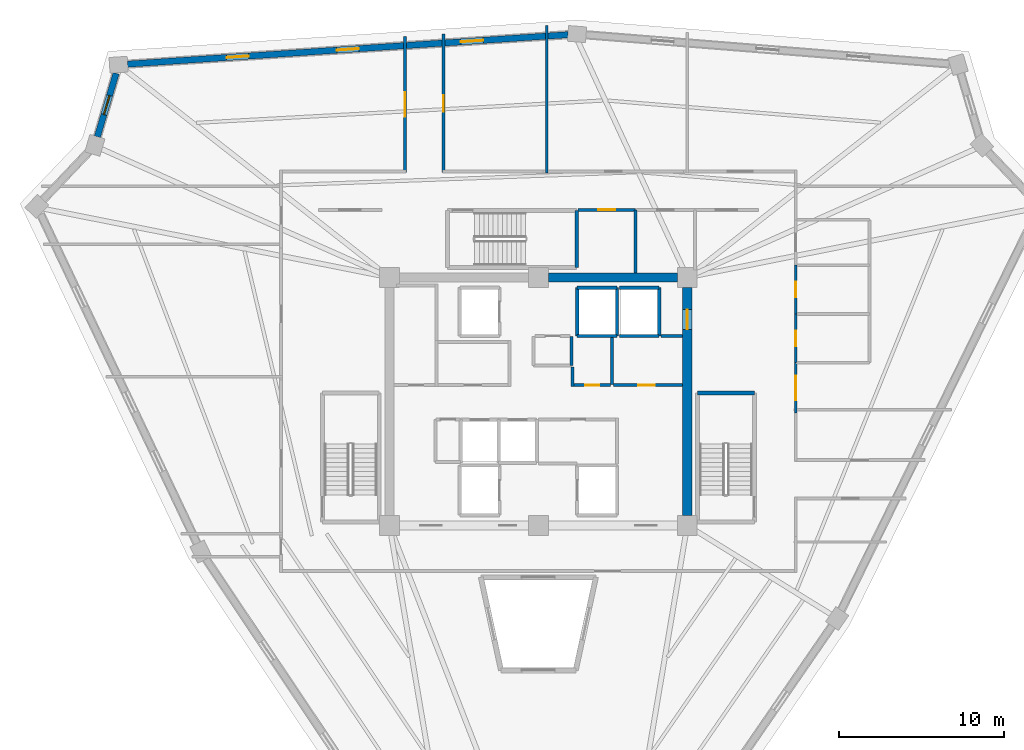
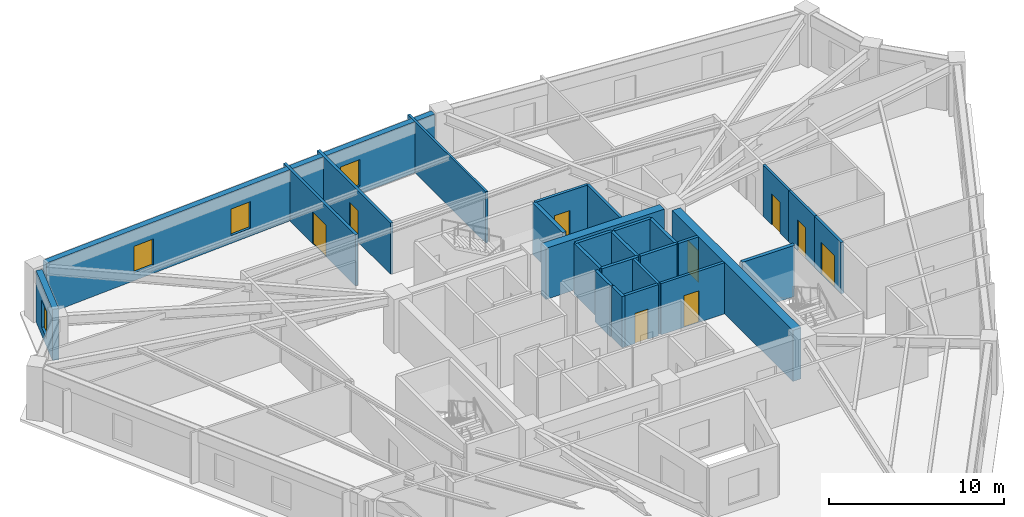
# One storey, part 6 of 8: 27 walls, 9 doors, 4 windows, 13 openings.
"""IFC4 building model written with IfcOpenShell, lengths in metres."""

from ifc_helpers import new_model, si_unit, direction, frame, frame_2d, origin, place, context, subcontext, project, spatial, rectangle, extrude, source, transform, mapped, material, layer, layer_set, type_object, element, fill, save


model = new_model("IFC4")

# Units and contexts
model_context = context("Model", 3, precision=1e-05, world=origin(), true_north=direction((0.0, 1.0)))
body_context = subcontext(model_context, "Body", "Model", "MODEL_VIEW")
ifc_project = project(units=[si_unit("LENGTHUNIT", "METRE"), si_unit("AREAUNIT", "SQUARE_METRE"), si_unit("VOLUMEUNIT", "CUBIC_METRE"), si_unit("PLANEANGLEUNIT", "RADIAN"), si_unit("MASSUNIT", "GRAM", prefix="KILO")], contexts=[model_context])

# Site, building, storey
site_placement = place(None, origin())
site = spatial("IfcSite", under=ifc_project, at=site_placement, CompositionType="ELEMENT")
building_placement = place(site_placement, origin())
building = spatial("IfcBuilding", under=site, at=building_placement, Name="Liaohun Quay Tower", CompositionType="ELEMENT")
storey_placement = place(building_placement, frame((0.0, 0.0, 305.25)))
storey = spatial("IfcBuildingStorey", under=building, at=storey_placement, Name="L79", CompositionType="ELEMENT", Elevation=305.25)

# Wall
ifc_material_1 = material(Name="Concrete C50", Category="concrete")
ifc_layer_1 = layer(ifc_material_1, 0.550048828125, Name="Concrete C50", Category="concrete")
ifc_layer_set_1 = layer_set([ifc_layer_1], Name="Concrete C50")
wall_type_1 = type_object("IfcWallType", Name="WAL-COR-Z4", PredefinedType="SHEAR", material=ifc_layer_set_1)
wall_1_placement = place(storey_placement, frame((60.60009765625, 61.5, 0.0), z_axis=(0.0, 0.0, 1.0), x_axis=(1.0, 0.0, 0.0)))
element("IfcWall", 1, at=wall_1_placement, inside=storey, type_object=wall_type_1, Name="L79 Central Core Shear Wall N-E", PredefinedType="SHEAR", context=body_context, shape_type="SweptSolid", body=[
    extrude(rectangle(XDim=7.7998046875, YDim=0.550048828125, at=frame_2d((3.89990234375, 0.0))), origin(), (0.0, 0.0, 1.0), 3.570068359375),
])

# Wall, opening, door
wall_2_placement = place(storey_placement, frame((69.0, 60.89990234375, 0.0), z_axis=(0.0, 0.0, 1.0), x_axis=(0.0, -1.0, 0.0)))
wall_2 = element("IfcWall", 2, at=wall_2_placement, inside=storey, type_object=wall_type_1, Name="L79 Central Core Shear Wall E", PredefinedType="SHEAR", context=body_context, shape_type="SweptSolid", body=[
    extrude(rectangle(XDim=13.7998046875, YDim=0.550048828125, at=frame_2d((6.89990234375, 0.0))), origin(), (0.0, 0.0, 1.0), 3.570068359375),
])
shared_shape_1 = source(origin(), body_context, "Body", "SweptSolid", [
    extrude(rectangle(XDim=1.199951171875, YDim=2.199951171875, at=frame_2d((0.60009765625, 1.10009765625))), frame((0.0, 0.284912109375, 0.0), z_axis=(0.0, -1.0, 0.0), x_axis=(1.0, 0.0, 0.0)), (0.0, 0.0, 1.0), 0.570068359375),
])
opening_1_placement = place(wall_2_placement, frame((1.35009765625, 0.0, 0.0)))
opening_1 = element("IfcOpeningElement", 3, at=opening_1_placement, cuts=wall_2, Name="Opening SD1", PredefinedType="OPENING", context=body_context, shape_type="MappedRepresentation", body=[
    mapped(shared_shape_1, transform((0.0, 0.0, 0.0), x_axis=(1.0, 0.0, 0.0), y_axis=(0.0, 1.0, 0.0), z_axis=(0.0, 0.0, 1.0), scale=1.0)),
])
ifc_material_2 = material(Name="Galvanised steel fire door", Category="steel")
door_type_1 = type_object("IfcDoorType", Name="DOR-STR-1200", OperationType="NOTDEFINED", PredefinedType="DOOR", material=ifc_material_2)
shared_shape_2 = source(origin(), body_context, "Body", "SweptSolid", [
    extrude(rectangle(XDim=1.199951171875, YDim=2.199951171875, at=frame_2d((0.60009765625, 1.10009765625))), frame((0.0, 0.02490234375, 0.0), z_axis=(0.0, -1.0, 0.0), x_axis=(1.0, 0.0, 0.0)), (0.0, 0.0, 1.0), 0.050048828125),
])
door_1_placement = place(opening_1_placement, origin())
door_1 = element("IfcDoor", 4, at=door_1_placement, inside=storey, type_object=door_type_1, Name="L79 North-East Core Lobby Smokeproof Door", OperationType="SINGLE_SWING_LEFT", OverallHeight=2.199951171875, OverallWidth=1.199951171875, PredefinedType="DOOR", context=body_context, shape_type="MappedRepresentation", body=[
    mapped(shared_shape_2, transform((0.0, 0.0, 0.0), x_axis=(1.0, 0.0, 0.0), y_axis=(0.0, 1.0, 0.0), z_axis=(0.0, 0.0, 1.0), scale=1.0)),
])
fill(opening_1, door_1)

# Wall, openings, windows
ifc_material_3 = material(Name="Precast concrete C50 insulated sandwich", Category="concrete")
ifc_layer_2 = layer(ifc_material_3, 0.3798828125, Name="Precast concrete C50 insulated sandwich", Category="concrete")
ifc_layer_set_2 = layer_set([ifc_layer_2], Name="Precast concrete C50 insulated sandwich")
wall_type_2 = type_object("IfcWallType", Name="WAL-EXT-Z34", PredefinedType="SOLIDWALL", material=ifc_layer_set_2)
wall_3_placement = place(storey_placement, frame((61.797119140625, 76.169921875, 0.0), z_axis=(0.0, 0.0, 1.0), x_axis=(-0.99777170169, -0.066720546358, 0.0)))
wall_3 = element("IfcWall", 5, at=wall_3_placement, inside=storey, type_object=wall_type_2, Name="L79 Brutalist Precast Pier Wall 07", PredefinedType="SOLIDWALL", context=body_context, shape_type="SweptSolid", body=[
    extrude(rectangle(XDim=26.693603515625, YDim=0.3798828125, at=frame_2d((13.3466796875, 0.0))), origin(), (0.0, 0.0, 1.0), 3.570068359375),
])
shared_shape_3 = source(origin(), body_context, "Body", "SweptSolid", [
    extrude(rectangle(XDim=1.35009765625, YDim=1.85009765625, at=frame_2d((0.675048828125, 0.925048828125))), frame((0.0, 0.199951171875, 0.0), z_axis=(0.0, -1.0, 0.0), x_axis=(1.0, 0.0, 0.0)), (0.0, 0.0, 1.0), 0.39990234375),
])
opening_2_placement = place(wall_3_placement, frame((5.14794921875, 0.0, 0.550048828125)))
opening_2 = element("IfcOpeningElement", 6, at=opening_2_placement, cuts=wall_3, Name="Opening W04", PredefinedType="OPENING", context=body_context, shape_type="MappedRepresentation", body=[
    mapped(shared_shape_3, transform((0.0, 0.0, 0.0), x_axis=(1.0, 0.0, 0.0), y_axis=(0.0, 1.0, 0.0), z_axis=(0.0, 0.0, 1.0), scale=1.0)),
])
opening_3_placement = place(wall_3_placement, frame((12.672119140625, 0.0, 0.550048828125)))
opening_3 = element("IfcOpeningElement", 7, at=opening_3_placement, cuts=wall_3, Name="Opening W04", PredefinedType="OPENING", context=body_context, shape_type="MappedRepresentation", body=[
    mapped(shared_shape_3, transform((0.0, 0.0, 0.0), x_axis=(1.0, 0.0, 0.0), y_axis=(0.0, 1.0, 0.0), z_axis=(0.0, 0.0, 1.0), scale=1.0)),
])
opening_4_placement = place(wall_3_placement, frame((19.344970703125, 0.0, 0.550048828125)))
opening_4 = element("IfcOpeningElement", 8, at=opening_4_placement, cuts=wall_3, Name="Opening W04", PredefinedType="OPENING", context=body_context, shape_type="MappedRepresentation", body=[
    mapped(shared_shape_3, transform((0.0, 0.0, 0.0), x_axis=(1.0, 0.0, 0.0), y_axis=(0.0, 1.0, 0.0), z_axis=(0.0, 0.0, 1.0), scale=1.0)),
])
ifc_material_4 = material(Name="Triple Low-E argon glazing in thermally broken aluminium", Category="aluminium")
window_type_1 = type_object("IfcWindowType", Name="WIN-PUN-Z4", PartitioningType="SINGLE_PANEL", PredefinedType="WINDOW", material=ifc_material_4)
shared_shape_4 = source(origin(), body_context, "Body", "SweptSolid", [
    extrude(rectangle(XDim=1.35009765625, YDim=1.85009765625, at=frame_2d((0.675048828125, 0.925048828125))), frame((0.0, 0.030029296875, 0.0), z_axis=(0.0, -1.0, 0.0), x_axis=(1.0, 0.0, 0.0)), (0.0, 0.0, 1.0), 0.06005859375),
])
window_1_placement = place(opening_2_placement, origin())
window_1 = element("IfcWindow", 9, at=window_1_placement, inside=storey, type_object=window_type_1, Name="L79 Recessed Cold-Climate Punched Window 07-1", OverallHeight=1.85009765625, OverallWidth=1.35009765625, PartitioningType="SINGLE_PANEL", PredefinedType="WINDOW", context=body_context, shape_type="MappedRepresentation", body=[
    mapped(shared_shape_4, transform((0.0, 0.0, 0.0), x_axis=(1.0, 0.0, 0.0), y_axis=(0.0, 1.0, 0.0), z_axis=(0.0, 0.0, 1.0), scale=1.0)),
])
fill(opening_2, window_1)
window_2_placement = place(opening_3_placement, origin())
window_2 = element("IfcWindow", 10, at=window_2_placement, inside=storey, type_object=window_type_1, Name="L79 Recessed Cold-Climate Punched Window 07-2", OverallHeight=1.85009765625, OverallWidth=1.35009765625, PartitioningType="SINGLE_PANEL", PredefinedType="WINDOW", context=body_context, shape_type="MappedRepresentation", body=[
    mapped(shared_shape_4, transform((0.0, 0.0, 0.0), x_axis=(1.0, 0.0, 0.0), y_axis=(0.0, 1.0, 0.0), z_axis=(0.0, 0.0, 1.0), scale=1.0)),
])
fill(opening_3, window_2)
window_3_placement = place(opening_4_placement, origin())
window_3 = element("IfcWindow", 11, at=window_3_placement, inside=storey, type_object=window_type_1, Name="L79 Recessed Cold-Climate Punched Window 07-3", OverallHeight=1.85009765625, OverallWidth=1.35009765625, PartitioningType="SINGLE_PANEL", PredefinedType="WINDOW", context=body_context, shape_type="MappedRepresentation", body=[
    mapped(shared_shape_4, transform((0.0, 0.0, 0.0), x_axis=(1.0, 0.0, 0.0), y_axis=(0.0, 1.0, 0.0), z_axis=(0.0, 0.0, 1.0), scale=1.0)),
])
fill(opening_4, window_3)

# Wall, opening, window
wall_4_placement = place(storey_placement, frame((34.470947265625, 73.8349609375, 0.0), z_axis=(0.0, 0.0, 1.0), x_axis=(-0.282483550301, -0.959272142726, 0.0)))
wall_4 = element("IfcWall", 12, at=wall_4_placement, inside=storey, type_object=wall_type_2, Name="L79 Brutalist Precast Pier Wall 08", PredefinedType="SOLIDWALL", context=body_context, shape_type="SweptSolid", body=[
    extrude(rectangle(XDim=3.999755859375, YDim=0.3798828125, at=frame_2d((2.0, 0.0))), origin(), (0.0, 0.0, 1.0), 3.570068359375),
])
shared_shape_5 = source(origin(), body_context, "Body", "SweptSolid", [
    extrude(rectangle(XDim=1.199951171875, YDim=1.89990234375, at=frame_2d((0.60009765625, 0.949951171875))), frame((0.0, 0.199951171875, 0.0), z_axis=(0.0, -1.0, 0.0), x_axis=(1.0, 0.0, 0.0)), (0.0, 0.0, 1.0), 0.39990234375),
])
opening_5_placement = place(wall_4_placement, frame((1.39990234375, 0.0, 0.550048828125)))
opening_5 = element("IfcOpeningElement", 13, at=opening_5_placement, cuts=wall_4, Name="Opening W05", PredefinedType="OPENING", context=body_context, shape_type="MappedRepresentation", body=[
    mapped(shared_shape_5, transform((0.0, 0.0, 0.0), x_axis=(1.0, 0.0, 0.0), y_axis=(0.0, 1.0, 0.0), z_axis=(0.0, 0.0, 1.0), scale=1.0)),
])
ifc_material_5 = material(Name="Triple Low-E corner notch glazing", Category="glass")
window_type_2 = type_object("IfcWindowType", Name="WIN-NOTCH", PartitioningType="SINGLE_PANEL", PredefinedType="WINDOW", material=ifc_material_5)
shared_shape_6 = source(origin(), body_context, "Body", "SweptSolid", [
    extrude(rectangle(XDim=1.199951171875, YDim=1.89990234375, at=frame_2d((0.60009765625, 0.949951171875))), frame((0.0, 0.030029296875, 0.0), z_axis=(0.0, -1.0, 0.0), x_axis=(1.0, 0.0, 0.0)), (0.0, 0.0, 1.0), 0.06005859375),
])
window_4_placement = place(opening_5_placement, origin())
window_4 = element("IfcWindow", 14, at=window_4_placement, inside=storey, type_object=window_type_2, Name="L79 Corner Notch Window W05-08", OverallHeight=1.89990234375, OverallWidth=1.199951171875, PartitioningType="SINGLE_PANEL", PredefinedType="WINDOW", context=body_context, shape_type="MappedRepresentation", body=[
    mapped(shared_shape_6, transform((0.0, 0.0, 0.0), x_axis=(1.0, 0.0, 0.0), y_axis=(0.0, 1.0, 0.0), z_axis=(0.0, 0.0, 1.0), scale=1.0)),
])
fill(opening_5, window_4)

# Wall, opening, door
ifc_material_6 = material(Name="Autoclaved aerated concrete blockwork", Category="masonry")
ifc_layer_3 = layer(ifc_material_6, 0.179931640625, Name="Autoclaved aerated concrete blockwork", Category="masonry")
ifc_layer_set_3 = layer_set([ifc_layer_3], Name="Autoclaved aerated concrete blockwork")
wall_type_3 = type_object("IfcWallType", Name="WAL-PRT-COR", PredefinedType="PARTITIONING", material=ifc_layer_set_3)
wall_5_placement = place(storey_placement, frame((62.139892578125, 54.97998046875, 0.0), z_axis=(0.0, 0.0, 1.0), x_axis=(1.0, 0.0, 0.0)))
wall_5 = element("IfcWall", 15, at=wall_5_placement, inside=storey, type_object=wall_type_3, Name="L79 Interior Partition Wall 004", PredefinedType="PARTITIONING", context=body_context, shape_type="SweptSolid", body=[
    extrude(rectangle(XDim=2.22021484375, YDim=0.179931640625, at=frame_2d((1.110107421875, 0.0))), origin(), (0.0, 0.0, 1.0), 3.570068359375),
])
shared_shape_7 = source(origin(), body_context, "Body", "SweptSolid", [
    extrude(rectangle(XDim=0.85009765625, YDim=2.10009765625, at=frame_2d((0.425048828125, 1.050048828125))), frame((0.0, 0.099853515625, 0.0), z_axis=(0.0, -1.0, 0.0), x_axis=(1.0, 0.0, 0.0)), (0.0, 0.0, 1.0), 0.199951171875),
])
opening_6_placement = place(wall_5_placement, frame((0.68505859375, 0.0, 0.0)))
opening_6 = element("IfcOpeningElement", 16, at=opening_6_placement, cuts=wall_5, Name="Opening AD1", PredefinedType="OPENING", context=body_context, shape_type="MappedRepresentation", body=[
    mapped(shared_shape_7, transform((0.0, 0.0, 0.0), x_axis=(1.0, 0.0, 0.0), y_axis=(0.0, 1.0, 0.0), z_axis=(0.0, 0.0, 1.0), scale=1.0)),
])
ifc_material_7 = material(Name="Steel riser inspection fire door", Category="steel")
door_type_2 = type_object("IfcDoorType", Name="DOR-SHF-850", OperationType="NOTDEFINED", PredefinedType="DOOR", material=ifc_material_7)
shared_shape_8 = source(origin(), body_context, "Body", "SweptSolid", [
    extrude(rectangle(XDim=0.85009765625, YDim=2.10009765625, at=frame_2d((0.425048828125, 1.050048828125))), frame((0.0, 0.02490234375, 0.0), z_axis=(0.0, -1.0, 0.0), x_axis=(1.0, 0.0, 0.0)), (0.0, 0.0, 1.0), 0.050048828125),
])
door_2_placement = place(opening_6_placement, origin())
door_2 = element("IfcDoor", 17, at=door_2_placement, inside=storey, type_object=door_type_2, Name="L79 Core Cleaner Store Door", OperationType="SINGLE_SWING_RIGHT", OverallHeight=2.10009765625, OverallWidth=0.85009765625, PredefinedType="DOOR", context=body_context, shape_type="MappedRepresentation", body=[
    mapped(shared_shape_8, transform((0.0, 0.0, 0.0), x_axis=(1.0, 0.0, 0.0), y_axis=(0.0, 1.0, 0.0), z_axis=(0.0, 0.0, 1.0), scale=1.0)),
])
fill(opening_6, door_2)

wall_6_placement = place(storey_placement, frame((64.5400390625, 54.97998046875, 0.0), z_axis=(0.0, 0.0, 1.0), x_axis=(1.0, 0.0, 0.0)))
wall_6 = element("IfcWall", 18, at=wall_6_placement, inside=storey, type_object=wall_type_3, Name="L79 Interior Partition Wall 005", PredefinedType="PARTITIONING", context=body_context, shape_type="SweptSolid", body=[
    extrude(rectangle(XDim=4.18505859375, YDim=0.179931640625, at=frame_2d((2.092529296875, 0.0))), origin(), (0.0, 0.0, 1.0), 3.570068359375),
])
shared_shape_9 = source(origin(), body_context, "Body", "SweptSolid", [
    extrude(rectangle(XDim=1.0, YDim=2.199951171875, at=frame_2d((0.5, 1.10009765625))), frame((0.0, 0.099853515625, 0.0), z_axis=(0.0, -1.0, 0.0), x_axis=(1.0, 0.0, 0.0)), (0.0, 0.0, 1.0), 0.199951171875),
])
opening_7_placement = place(wall_6_placement, frame((1.4951171875, 0.0, 0.0)))
opening_7 = element("IfcOpeningElement", 19, at=opening_7_placement, cuts=wall_6, Name="Opening OD1", PredefinedType="OPENING", context=body_context, shape_type="MappedRepresentation", body=[
    mapped(shared_shape_9, transform((0.0, 0.0, 0.0), x_axis=(1.0, 0.0, 0.0), y_axis=(0.0, 1.0, 0.0), z_axis=(0.0, 0.0, 1.0), scale=1.0)),
])
ifc_material_8 = material(Name="Solid-core oak veneer timber leaf in steel frame", Category="steel")
door_type_3 = type_object("IfcDoorType", Name="DOR-OFF-1000", OperationType="NOTDEFINED", PredefinedType="DOOR", material=ifc_material_8)
shared_shape_10 = source(origin(), body_context, "Body", "SweptSolid", [
    extrude(rectangle(XDim=1.0, YDim=2.199951171875, at=frame_2d((0.5, 1.10009765625))), frame((0.0, 0.02490234375, 0.0), z_axis=(0.0, -1.0, 0.0), x_axis=(1.0, 0.0, 0.0)), (0.0, 0.0, 1.0), 0.050048828125),
])
door_3_placement = place(opening_7_placement, origin())
door_3 = element("IfcDoor", 20, at=door_3_placement, inside=storey, type_object=door_type_3, Name="L79 Core High-Zone Pantry Room Door", OperationType="SINGLE_SWING_LEFT", OverallHeight=2.199951171875, OverallWidth=1.0, PredefinedType="DOOR", context=body_context, shape_type="MappedRepresentation", body=[
    mapped(shared_shape_10, transform((0.0, 0.0, 0.0), x_axis=(1.0, 0.0, 0.0), y_axis=(0.0, 1.0, 0.0), z_axis=(0.0, 0.0, 1.0), scale=1.0)),
])
fill(opening_7, door_3)

wall_7_placement = place(storey_placement, frame((62.389892578125, 65.580078125, 0.0), z_axis=(0.0, 0.0, 1.0), x_axis=(1.0, 0.0, 0.0)))
wall_7 = element("IfcWall", 21, at=wall_7_placement, inside=storey, type_object=wall_type_3, Name="L79 Interior Partition Wall 011", PredefinedType="PARTITIONING", context=body_context, shape_type="SweptSolid", body=[
    extrude(rectangle(XDim=3.489990234375, YDim=0.179931640625, at=frame_2d((1.7451171875, 0.0))), origin(), (0.0, 0.0, 1.0), 3.570068359375),
])
opening_8_placement = place(wall_7_placement, frame((1.2451171875, 0.0, 0.0)))
opening_8 = element("IfcOpeningElement", 22, at=opening_8_placement, cuts=wall_7, Name="Opening OD1", PredefinedType="OPENING", context=body_context, shape_type="MappedRepresentation", body=[
    mapped(shared_shape_9, transform((0.0, 0.0, 0.0), x_axis=(1.0, 0.0, 0.0), y_axis=(0.0, 1.0, 0.0), z_axis=(0.0, 0.0, 1.0), scale=1.0)),
])
door_4_placement = place(opening_8_placement, origin())
door_4 = element("IfcDoor", 23, at=door_4_placement, inside=storey, type_object=door_type_3, Name="L79 North-East Archive Store Door", OperationType="SINGLE_SWING_LEFT", OverallHeight=2.199951171875, OverallWidth=1.0, PredefinedType="DOOR", context=body_context, shape_type="MappedRepresentation", body=[
    mapped(shared_shape_10, transform((0.0, 0.0, 0.0), x_axis=(1.0, 0.0, 0.0), y_axis=(0.0, 1.0, 0.0), z_axis=(0.0, 0.0, 1.0), scale=1.0)),
])
fill(opening_8, door_4)

wall_8_placement = place(storey_placement, frame((75.56005859375, 56.340087890625, 0.0), z_axis=(0.0, 0.0, 1.0), x_axis=(0.0, -1.0, 0.0)))
wall_8 = element("IfcWall", 24, at=wall_8_placement, inside=storey, type_object=wall_type_3, Name="L79 Interior Partition Wall 015", PredefinedType="PARTITIONING", context=body_context, shape_type="SweptSolid", body=[
    extrude(rectangle(XDim=3.05517578125, YDim=0.179931640625, at=frame_2d((1.527587890625, 0.0))), origin(), (0.0, 0.0, 1.0), 3.570068359375),
])
shared_shape_11 = source(origin(), body_context, "Body", "SweptSolid", [
    extrude(rectangle(XDim=1.5, YDim=2.199951171875, at=frame_2d((0.75, 1.10009765625))), frame((0.0, 0.099853515625, 0.0), z_axis=(0.0, -1.0, 0.0), x_axis=(1.0, 0.0, 0.0)), (0.0, 0.0, 1.0), 0.199951171875),
])
opening_9_placement = place(wall_8_placement, frame((0.778076171875, 0.0, 0.0)))
opening_9 = element("IfcOpeningElement", 25, at=opening_9_placement, cuts=wall_8, Name="Opening OD2", PredefinedType="OPENING", context=body_context, shape_type="MappedRepresentation", body=[
    mapped(shared_shape_11, transform((0.0, 0.0, 0.0), x_axis=(1.0, 0.0, 0.0), y_axis=(0.0, 1.0, 0.0), z_axis=(0.0, 0.0, 1.0), scale=1.0)),
])
ifc_material_9 = material(Name="Acoustic oak veneer double door")
door_type_4 = type_object("IfcDoorType", Name="DOR-OFF-1500", OperationType="DOUBLE_DOOR_SINGLE_SWING", PredefinedType="DOOR", material=ifc_material_9)
shared_shape_12 = source(origin(), body_context, "Body", "SweptSolid", [
    extrude(rectangle(XDim=1.5, YDim=2.199951171875, at=frame_2d((0.75, 1.10009765625))), frame((0.0, 0.02490234375, 0.0), z_axis=(0.0, -1.0, 0.0), x_axis=(1.0, 0.0, 0.0)), (0.0, 0.0, 1.0), 0.050048828125),
])
door_5_placement = place(opening_9_placement, origin())
door_5 = element("IfcDoor", 26, at=door_5_placement, inside=storey, type_object=door_type_4, Name="L79 Engineering Model Workshop 01 Door", OperationType="DOUBLE_DOOR_SINGLE_SWING", OverallHeight=2.199951171875, OverallWidth=1.5, PredefinedType="DOOR", context=body_context, shape_type="MappedRepresentation", body=[
    mapped(shared_shape_12, transform((0.0, 0.0, 0.0), x_axis=(1.0, 0.0, 0.0), y_axis=(0.0, 1.0, 0.0), z_axis=(0.0, 0.0, 1.0), scale=1.0)),
])
fill(opening_9, door_5)

wall_9_placement = place(storey_placement, frame((54.260009765625, 76.20703125, 0.0), z_axis=(0.0, 0.0, 1.0), x_axis=(0.0, -1.0, 0.0)))
wall_9 = element("IfcWall", 27, at=wall_9_placement, inside=storey, type_object=wall_type_3, Name="L79 Interior Partition Wall 018", PredefinedType="PARTITIONING", context=body_context, shape_type="SweptSolid", body=[
    extrude(rectangle(XDim=8.366943359375, YDim=0.179931640625, at=frame_2d((4.18359375, 0.0))), origin(), (0.0, 0.0, 1.0), 3.570068359375),
])
opening_10_placement = place(wall_9_placement, frame((3.68310546875, 0.0, 0.0)))
opening_10 = element("IfcOpeningElement", 28, at=opening_10_placement, cuts=wall_9, Name="Opening OD1", PredefinedType="OPENING", context=body_context, shape_type="MappedRepresentation", body=[
    mapped(shared_shape_9, transform((0.0, 0.0, 0.0), x_axis=(1.0, 0.0, 0.0), y_axis=(0.0, 1.0, 0.0), z_axis=(0.0, 0.0, 1.0), scale=1.0)),
])
door_6_placement = place(opening_10_placement, origin())
door_6 = element("IfcDoor", 29, at=door_6_placement, inside=storey, type_object=door_type_3, Name="L79 Project Collaboration Studio 04 Door", OperationType="SINGLE_SWING_RIGHT", OverallHeight=2.199951171875, OverallWidth=1.0, PredefinedType="DOOR", context=body_context, shape_type="MappedRepresentation", body=[
    mapped(shared_shape_10, transform((0.0, 0.0, 0.0), x_axis=(1.0, 0.0, 0.0), y_axis=(0.0, 1.0, 0.0), z_axis=(0.0, 0.0, 1.0), scale=1.0)),
])
fill(opening_10, door_6)

wall_10_placement = place(storey_placement, frame((51.93994140625, 67.840087890625, 0.0), z_axis=(0.0, 0.0, 1.0), x_axis=(0.0, 1.0, 0.0)))
wall_10 = element("IfcWall", 30, at=wall_10_placement, inside=storey, type_object=wall_type_3, Name="L79 Interior Partition Wall 019", PredefinedType="PARTITIONING", context=body_context, shape_type="SweptSolid", body=[
    extrude(rectangle(XDim=8.2119140625, YDim=0.179931640625, at=frame_2d((4.10595703125, 0.0))), origin(), (0.0, 0.0, 1.0), 3.570068359375),
])
opening_11_placement = place(wall_10_placement, frame((3.35595703125, 0.0, 0.0)))
opening_11 = element("IfcOpeningElement", 31, at=opening_11_placement, cuts=wall_10, Name="Opening OD2", PredefinedType="OPENING", context=body_context, shape_type="MappedRepresentation", body=[
    mapped(shared_shape_11, transform((0.0, 0.0, 0.0), x_axis=(1.0, 0.0, 0.0), y_axis=(0.0, 1.0, 0.0), z_axis=(0.0, 0.0, 1.0), scale=1.0)),
])
door_7_placement = place(opening_11_placement, origin())
door_7 = element("IfcDoor", 32, at=door_7_placement, inside=storey, type_object=door_type_4, Name="L79 Client Collaboration Lounge 05 Door", OperationType="DOUBLE_DOOR_SINGLE_SWING", OverallHeight=2.199951171875, OverallWidth=1.5, PredefinedType="DOOR", context=body_context, shape_type="MappedRepresentation", body=[
    mapped(shared_shape_12, transform((0.0, 0.0, 0.0), x_axis=(1.0, 0.0, 0.0), y_axis=(0.0, 1.0, 0.0), z_axis=(0.0, 0.0, 1.0), scale=1.0)),
])
fill(opening_11, door_7)

# Walls
wall_11_placement = place(storey_placement, frame((64.449951171875, 55.02001953125, 0.0), z_axis=(0.0, 0.0, 1.0), x_axis=(0.0, 1.0, 0.0)))
element("IfcWall", 33, at=wall_11_placement, inside=storey, type_object=wall_type_3, Name="L79 Interior Partition Wall 027", PredefinedType="PARTITIONING", context=body_context, shape_type="SweptSolid", body=[
    extrude(rectangle(XDim=2.85986328125, YDim=0.179931640625, at=frame_2d((1.429931640625, 0.0))), origin(), (0.0, 0.0, 1.0), 3.570068359375),
])
wall_12_placement = place(storey_placement, frame((62.010009765625, 56.179931640625, 0.0), z_axis=(0.0, 0.0, 1.0), x_axis=(0.0, 1.0, 0.0)))
element("IfcWall", 34, at=wall_12_placement, inside=storey, type_object=wall_type_3, Name="L79 Interior Partition Wall 029", PredefinedType="PARTITIONING", context=body_context, shape_type="SweptSolid", body=[
    extrude(rectangle(XDim=1.739990234375, YDim=0.179931640625, at=frame_2d((0.8701171875, 0.0))), origin(), (0.0, 0.0, 1.0), 3.570068359375),
])
wall_13_placement = place(storey_placement, frame((65.8798828125, 61.77490234375, 0.0), z_axis=(0.0, 0.0, 1.0), x_axis=(0.0, 1.0, 0.0)))
element("IfcWall", 35, at=wall_13_placement, inside=storey, type_object=wall_type_3, Name="L79 Interior Partition Wall 038", PredefinedType="PARTITIONING", context=body_context, shape_type="SweptSolid", body=[
    extrude(rectangle(XDim=3.80517578125, YDim=0.179931640625, at=frame_2d((1.902587890625, 0.0))), origin(), (0.0, 0.0, 1.0), 3.570068359375),
])
wall_14_placement = place(storey_placement, frame((62.050048828125, 54.889892578125, 0.0), z_axis=(0.0, 0.0, 1.0), x_axis=(0.0, 1.0, 0.0)))
element("IfcWall", 36, at=wall_14_placement, inside=storey, type_object=wall_type_3, Name="L79 Interior Partition Wall 066", PredefinedType="PARTITIONING", context=body_context, shape_type="SweptSolid", body=[
    extrude(rectangle(XDim=1.2001953125, YDim=0.179931640625, at=frame_2d((0.60009765625, 0.0))), origin(), (0.0, 0.0, 1.0), 3.570068359375),
])
wall_15_placement = place(storey_placement, frame((67.39990234375, 57.949951171875, 0.0), z_axis=(0.0, 0.0, 1.0), x_axis=(1.0, 0.0, 0.0)))
element("IfcWall", 37, at=wall_15_placement, inside=storey, type_object=wall_type_3, Name="L79 Interior Partition Wall 067", PredefinedType="PARTITIONING", context=body_context, shape_type="SweptSolid", body=[
    extrude(rectangle(XDim=1.3251953125, YDim=0.179931640625, at=frame_2d((0.66259765625, 0.0))), origin(), (0.0, 0.0, 1.0), 3.570068359375),
])
ifc_material_10 = material(Name="Gypsum board on twin steel studs", Category="steel")
ifc_layer_4 = layer(ifc_material_10, 0.139892578125, Name="Gypsum board on twin steel studs", Category="steel")
ifc_layer_set_4 = layer_set([ifc_layer_4], Name="Gypsum board on twin steel studs")
wall_type_4 = type_object("IfcWallType", Name="WAL-PRT-OFF", PredefinedType="PARTITIONING", material=ifc_layer_set_4)
wall_16_placement = place(storey_placement, frame((60.5, 67.81005859375, 0.0), z_axis=(0.0, 0.0, 1.0), x_axis=(0.0, 1.0, 0.0)))
element("IfcWall", 38, at=wall_16_placement, inside=storey, type_object=wall_type_4, Name="L79 Interior Partition Wall 057", PredefinedType="PARTITIONING", context=body_context, shape_type="SweptSolid", body=[
    extrude(rectangle(XDim=8.904052734375, YDim=0.139892578125, at=frame_2d((4.4521484375, 0.0))), origin(), (0.0, 0.0, 1.0), 3.570068359375),
])

# Wall, opening, door
ifc_material_11 = material(Name="Moisture-resistant masonry blockwork", Category="masonry")
ifc_layer_5 = layer(ifc_material_11, 0.159912109375, Name="Moisture-resistant masonry blockwork", Category="masonry")
ifc_layer_set_5 = layer_set([ifc_layer_5], Name="Moisture-resistant masonry blockwork")
wall_type_5 = type_object("IfcWallType", Name="WAL-PRT-WET", PredefinedType="PARTITIONING", material=ifc_layer_set_5)
wall_17_placement = place(storey_placement, frame((75.56005859375, 56.340087890625, 0.0), z_axis=(0.0, 0.0, 1.0), x_axis=(0.0, 1.0, 0.0)))
wall_17 = element("IfcWall", 39, at=wall_17_placement, inside=storey, type_object=wall_type_5, Name="L79 Interior Partition Wall 008", PredefinedType="PARTITIONING", context=body_context, shape_type="SweptSolid", body=[
    extrude(rectangle(XDim=2.93994140625, YDim=0.159912109375, at=frame_2d((1.469970703125, 0.0))), origin(), (0.0, 0.0, 1.0), 3.570068359375),
])
shared_shape_13 = source(origin(), body_context, "Body", "SweptSolid", [
    extrude(rectangle(XDim=0.949951171875, YDim=2.14990234375, at=frame_2d((0.47509765625, 1.074951171875))), frame((0.0, 0.08984375, 0.0), z_axis=(0.0, -1.0, 0.0), x_axis=(1.0, 0.0, 0.0)), (0.0, 0.0, 1.0), 0.179931640625),
])
opening_12_placement = place(wall_17_placement, frame((0.9951171875, 0.0, 0.0)))
opening_12 = element("IfcOpeningElement", 40, at=opening_12_placement, cuts=wall_17, Name="Opening WD1", PredefinedType="OPENING", context=body_context, shape_type="MappedRepresentation", body=[
    mapped(shared_shape_13, transform((0.0, 0.0, 0.0), x_axis=(1.0, 0.0, 0.0), y_axis=(0.0, 1.0, 0.0), z_axis=(0.0, 0.0, 1.0), scale=1.0)),
])
ifc_material_12 = material(Name="Moisture-resistant laminate timber leaf", Category="wood")
door_type_5 = type_object("IfcDoorType", Name="DOR-WC-950", OperationType="NOTDEFINED", PredefinedType="DOOR", material=ifc_material_12)
shared_shape_14 = source(origin(), body_context, "Body", "SweptSolid", [
    extrude(rectangle(XDim=0.949951171875, YDim=2.14990234375, at=frame_2d((0.47509765625, 1.074951171875))), frame((0.0, 0.02490234375, 0.0), z_axis=(0.0, -1.0, 0.0), x_axis=(1.0, 0.0, 0.0)), (0.0, 0.0, 1.0), 0.050048828125),
])
door_8_placement = place(opening_12_placement, origin())
door_8 = element("IfcDoor", 41, at=door_8_placement, inside=storey, type_object=door_type_5, Name="L79 Male Restroom WC Door", OperationType="SINGLE_SWING_RIGHT", OverallHeight=2.14990234375, OverallWidth=0.949951171875, PredefinedType="DOOR", context=body_context, shape_type="MappedRepresentation", body=[
    mapped(shared_shape_14, transform((0.0, 0.0, 0.0), x_axis=(1.0, 0.0, 0.0), y_axis=(0.0, 1.0, 0.0), z_axis=(0.0, 0.0, 1.0), scale=1.0)),
])
fill(opening_12, door_8)

wall_18_placement = place(storey_placement, frame((75.56005859375, 59.280029296875, 0.0), z_axis=(0.0, 0.0, 1.0), x_axis=(0.0, 1.0, 0.0)))
wall_18 = element("IfcWall", 42, at=wall_18_placement, inside=storey, type_object=wall_type_5, Name="L79 Interior Partition Wall 009", PredefinedType="PARTITIONING", context=body_context, shape_type="SweptSolid", body=[
    extrude(rectangle(XDim=2.9599609375, YDim=0.159912109375, at=frame_2d((1.47998046875, 0.0))), origin(), (0.0, 0.0, 1.0), 3.570068359375),
])
opening_13_placement = place(wall_18_placement, frame((1.0048828125, 0.0, 0.0)))
opening_13 = element("IfcOpeningElement", 43, at=opening_13_placement, cuts=wall_18, Name="Opening WD1", PredefinedType="OPENING", context=body_context, shape_type="MappedRepresentation", body=[
    mapped(shared_shape_13, transform((0.0, 0.0, 0.0), x_axis=(1.0, 0.0, 0.0), y_axis=(0.0, 1.0, 0.0), z_axis=(0.0, 0.0, 1.0), scale=1.0)),
])
door_9_placement = place(opening_13_placement, origin())
door_9 = element("IfcDoor", 44, at=door_9_placement, inside=storey, type_object=door_type_5, Name="L79 Female Restroom WC Door", OperationType="SINGLE_SWING_LEFT", OverallHeight=2.14990234375, OverallWidth=0.949951171875, PredefinedType="DOOR", context=body_context, shape_type="MappedRepresentation", body=[
    mapped(shared_shape_14, transform((0.0, 0.0, 0.0), x_axis=(1.0, 0.0, 0.0), y_axis=(0.0, 1.0, 0.0), z_axis=(0.0, 0.0, 1.0), scale=1.0)),
])
fill(opening_13, door_9)

# Walls
ifc_layer_6 = layer(ifc_material_1, 0.239990234375, Name="Concrete C50", Category="concrete")
ifc_layer_set_6 = layer_set([ifc_layer_6], Name="Concrete C50")
wall_type_6 = type_object("IfcWallType", Name="WAL-SHF-200", PredefinedType="SOLIDWALL", material=ifc_layer_set_6)
for number, where, z_axis, x_axis, name in (
    (45, (73.06005859375, 54.52001953125, 0.0), (0.0, 0.0, 1.0), (-1.0, 0.0, 0.0), "L79 Stairwell ST-2 Structural Core Wall N"),
    (46, (62.320068359375, 62.10009765625, 0.0), (0.0, 0.0, 1.0), (0.0, 1.0, 0.0), "L79 Stairwell ST-3 Structural Core Wall E"),
):
    element("IfcWall", number, at=place(storey_placement, frame(where, z_axis=z_axis, x_axis=x_axis)), inside=storey, type_object=wall_type_6, Name=name, PredefinedType="SOLIDWALL", context=body_context, shape_type="SweptSolid", body=[
        extrude(rectangle(XDim=3.43994140625, YDim=0.239990234375, at=frame_2d((1.719970703125, 0.0))), origin(), (0.0, 0.0, 1.0), 3.570068359375),
    ])
wall_19_placement = place(storey_placement, frame((62.35009765625, 57.949951171875, 0.0), z_axis=(0.0, 0.0, 1.0), x_axis=(1.0, 0.0, 0.0)))
element("IfcWall", 47, at=wall_19_placement, inside=storey, type_object=wall_type_6, Name="L79 Lift OB-01 Hoistway Wall S", PredefinedType="SOLIDWALL", context=body_context, shape_type="SweptSolid", body=[
    extrude(rectangle(XDim=2.39990234375, YDim=0.199951171875, at=frame_2d((1.199951171875, 0.0))), origin(), (0.0, 0.0, 1.0), 3.570068359375),
])
wall_20_placement = place(storey_placement, frame((64.75, 57.949951171875, 0.0), z_axis=(0.0, 0.0, 1.0), x_axis=(0.0, 1.0, 0.0)))
element("IfcWall", 48, at=wall_20_placement, inside=storey, type_object=wall_type_6, Name="L79 Lift OB-01 Hoistway Wall E", PredefinedType="SOLIDWALL", context=body_context, shape_type="SweptSolid", body=[
    extrude(rectangle(XDim=2.929931640625, YDim=0.199951171875, at=frame_2d((1.46484375, 0.0))), origin(), (0.0, 0.0, 1.0), 3.570068359375),
])
wall_21_placement = place(storey_placement, frame((64.75, 60.8798828125, 0.0), z_axis=(0.0, 0.0, 1.0), x_axis=(-1.0, 0.0, 0.0)))
element("IfcWall", 49, at=wall_21_placement, inside=storey, type_object=wall_type_6, Name="L79 Lift OB-01 Hoistway Wall N", PredefinedType="SOLIDWALL", context=body_context, shape_type="SweptSolid", body=[
    extrude(rectangle(XDim=2.39990234375, YDim=0.199951171875, at=frame_2d((1.199951171875, 0.0))), origin(), (0.0, 0.0, 1.0), 3.570068359375),
])
wall_22_placement = place(storey_placement, frame((62.35009765625, 60.8798828125, 0.0), z_axis=(0.0, 0.0, 1.0), x_axis=(0.0, -1.0, 0.0)))
element("IfcWall", 50, at=wall_22_placement, inside=storey, type_object=wall_type_6, Name="L79 Lift OB-01 Hoistway Wall W", PredefinedType="SOLIDWALL", context=body_context, shape_type="SweptSolid", body=[
    extrude(rectangle(XDim=2.929931640625, YDim=0.199951171875, at=frame_2d((1.46484375, 0.0))), origin(), (0.0, 0.0, 1.0), 3.570068359375),
])
wall_23_placement = place(storey_placement, frame((64.89990234375, 57.949951171875, 0.0), z_axis=(0.0, 0.0, 1.0), x_axis=(1.0, 0.0, 0.0)))
element("IfcWall", 51, at=wall_23_placement, inside=storey, type_object=wall_type_6, Name="L79 Lift OB-02 Hoistway Wall S", PredefinedType="SOLIDWALL", context=body_context, shape_type="SweptSolid", body=[
    extrude(rectangle(XDim=2.400146484375, YDim=0.199951171875, at=frame_2d((1.2001953125, 0.0))), origin(), (0.0, 0.0, 1.0), 3.570068359375),
])
wall_24_placement = place(storey_placement, frame((67.300048828125, 57.949951171875, 0.0), z_axis=(0.0, 0.0, 1.0), x_axis=(0.0, 1.0, 0.0)))
element("IfcWall", 52, at=wall_24_placement, inside=storey, type_object=wall_type_6, Name="L79 Lift OB-02 Hoistway Wall E", PredefinedType="SOLIDWALL", context=body_context, shape_type="SweptSolid", body=[
    extrude(rectangle(XDim=2.929931640625, YDim=0.199951171875, at=frame_2d((1.46484375, 0.0))), origin(), (0.0, 0.0, 1.0), 3.570068359375),
])
wall_25_placement = place(storey_placement, frame((67.300048828125, 60.8798828125, 0.0), z_axis=(0.0, 0.0, 1.0), x_axis=(-1.0, 0.0, 0.0)))
element("IfcWall", 53, at=wall_25_placement, inside=storey, type_object=wall_type_6, Name="L79 Lift OB-02 Hoistway Wall N", PredefinedType="SOLIDWALL", context=body_context, shape_type="SweptSolid", body=[
    extrude(rectangle(XDim=2.400146484375, YDim=0.199951171875, at=frame_2d((1.2001953125, 0.0))), origin(), (0.0, 0.0, 1.0), 3.570068359375),
])

save(model, "model.ifc")
